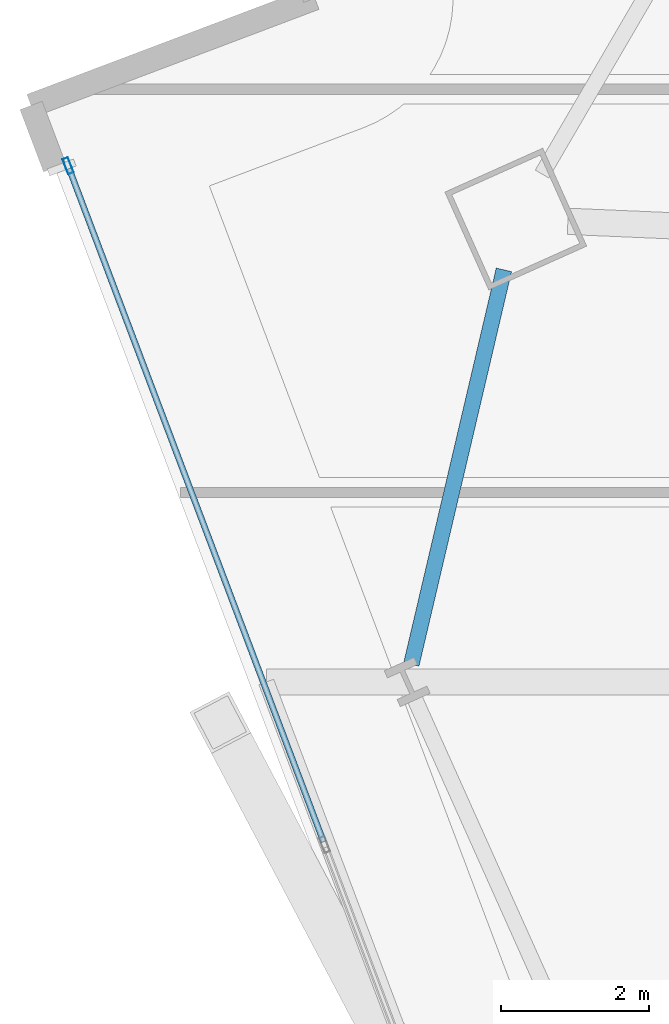
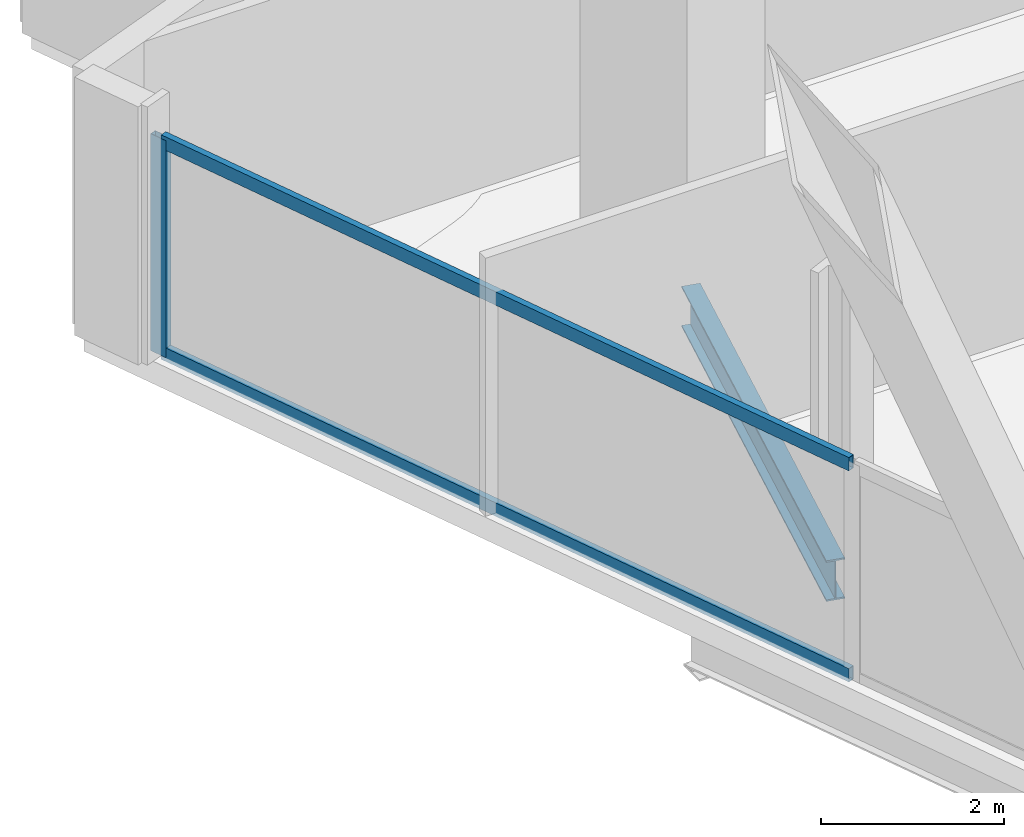
# One storey, part 16 of 37: 3 members, 1 beam, 1 element without a shape of its own.
"""IFC4 building model written with IfcOpenShell, lengths in metres."""

from ifc_helpers import new_model, si_unit, direction, frame, origin, origin_2d, place, context, subcontext, project, spatial, hollow_rectangle, i_section, extrude, material, material_profile, profile_set, type_object, element, aggregate, save


model = new_model("IFC4")

# Units and contexts
model_context = context("Model", 3, precision=1e-05, world=origin(), true_north=direction((0.0, 1.0)))
body_context = subcontext(model_context, "Body", "Model", "MODEL_VIEW")
ifc_project = project(units=[si_unit("LENGTHUNIT", "METRE"), si_unit("AREAUNIT", "SQUARE_METRE"), si_unit("VOLUMEUNIT", "CUBIC_METRE"), si_unit("PLANEANGLEUNIT", "RADIAN"), si_unit("MASSUNIT", "GRAM", prefix="KILO")], contexts=[model_context])

# Site, building, storey
site_placement = place(None, origin())
site = spatial("IfcSite", under=ifc_project, at=site_placement, CompositionType="ELEMENT")
building_placement = place(site_placement, origin())
building = spatial("IfcBuilding", under=site, at=building_placement, Name="Haldenkirk Collegiate Tower", CompositionType="ELEMENT")
storey_placement = place(building_placement, frame((0.0, 0.0, 97.949951171875)))
storey = spatial("IfcBuildingStorey", under=building, at=storey_placement, Name="L23", CompositionType="ELEMENT", Elevation=97.949951171875)

# Beam
ifc_material_1 = material(Name="Steel ASTM A992 Grade 50", Category="steel")
ifc_material_profile_1 = material_profile(ifc_material_1, i_section(OverallWidth=0.2119140625, OverallDepth=0.5439453125, WebThickness=0.01318359375, FlangeThickness=0.021240234375, at=origin_2d()), Name="W21X83")
ifc_profile_set_1 = profile_set([ifc_material_profile_1], Name="Steel ASTM A992 Grade 50")
beam_type = type_object("IfcBeamType", Name="BM-SPANDREL-W21X83", PredefinedType="SPANDREL", material=ifc_profile_set_1)
beam_placement = place(storey_placement, frame((10.624755859375, 34.0087890625, -0.572021484375), z_axis=(-0.228373515871, -0.97357359108, 0.0), x_axis=(0.97357359108, -0.228373515871, 0.0)))
element("IfcBeam", 1, at=beam_placement, inside=storey, type_object=beam_type, Name="L23 perimeter spandrel beam 13", PredefinedType="SPANDREL", context=body_context, shape_type="SweptSolid", body=[
    extrude(i_section(OverallWidth=0.2119140625, OverallDepth=0.5439453125, WebThickness=0.01318359375, FlangeThickness=0.021240234375, at=origin_2d()), origin(), (0.0, 0.0, 1.0), 5.477783203125),
])

# Curtain wall, members
ifc_material_2 = material(Name="Anodised architectural bronze aluminium", Category="aluminium")
curtain_wall_type = type_object("IfcCurtainWallType", Name="CW-SYS1-CONVEX-LOW", PredefinedType="USERDEFINED", material=ifc_material_2)
curtain_wall_placement = place(storey_placement, origin())
curtain_wall = element("IfcCurtainWall", 2, at=curtain_wall_placement, inside=storey, type_object=curtain_wall_type, Name="L23 Lower tower convex bronze-framed unitised curtain wall", ObjectType="UNITISED CURTAIN WALL", PredefinedType="USERDEFINED")
ifc_material_profile_2 = material_profile(ifc_material_2, hollow_rectangle(XDim=0.080078125, YDim=0.219970703125, WallThickness=0.0048828125, at=origin_2d()), Name="CW-MUL-1A")
ifc_profile_set_2 = profile_set([ifc_material_profile_2], Name="Anodised architectural bronze aluminium")
member_type_1 = type_object("IfcMemberType", Name="CW-MUL-1A", PredefinedType="MULLION", material=ifc_profile_set_2)
member_1_placement = place(storey_placement, frame((4.733154296875, 35.415771484375, 0.0), z_axis=(0.0, 0.0, 1.0), x_axis=(-0.93544328227, -0.35347682478, 0.0)))
member_1 = element("IfcMember", 3, at=member_1_placement, type_object=member_type_1, Name="CW-1A mullion 5", PredefinedType="MULLION", context=body_context, shape_type="SweptSolid", body=[
    extrude(hollow_rectangle(XDim=0.080078125, YDim=0.219970703125, WallThickness=0.0048828125, at=origin_2d()), origin(), (0.0, 0.0, 1.0), 2.901123046875),
])
ifc_material_profile_3 = material_profile(ifc_material_2, hollow_rectangle(XDim=0.080078125, YDim=0.179931640625, WallThickness=0.0048828125, at=origin_2d()), Name="CW-TRN-1A")
ifc_profile_set_3 = profile_set([ifc_material_profile_3], Name="Anodised architectural bronze aluminium")
member_type_2 = type_object("IfcMemberType", Name="CW-TRN-1A", PredefinedType="USERDEFINED", material=ifc_profile_set_3)
member_2_placement = place(storey_placement, frame((8.186767578125, 26.276611328125, 0.0400390625), z_axis=(-0.353489862258, 0.935438355682, 0.0), x_axis=(-0.935438355682, -0.353489862258, 0.0)))
member_2 = element("IfcMember", 4, at=member_2_placement, type_object=member_type_2, Name="CW-1A transom 4.1", ObjectType="TRANSOM", PredefinedType="USERDEFINED", context=body_context, shape_type="SweptSolid", body=[
    extrude(hollow_rectangle(XDim=0.080078125, YDim=0.179931640625, WallThickness=0.0048828125, at=origin_2d()), origin(), (0.0, 0.0, 1.0), 9.72998046875),
])
member_3_placement = place(storey_placement, frame((8.186767578125, 26.276611328125, 2.861083984375), z_axis=(-0.353489862258, 0.935438355682, 0.0), x_axis=(-0.935438355682, -0.353489862258, 0.0)))
member_3 = element("IfcMember", 5, at=member_3_placement, type_object=member_type_2, Name="CW-1A transom 4.2", ObjectType="TRANSOM", PredefinedType="USERDEFINED", context=body_context, shape_type="SweptSolid", body=[
    extrude(hollow_rectangle(XDim=0.080078125, YDim=0.179931640625, WallThickness=0.0048828125, at=origin_2d()), origin(), (0.0, 0.0, 1.0), 9.72998046875),
])
aggregate(curtain_wall, [member_1, member_2, member_3])

save(model, "model.ifc")
